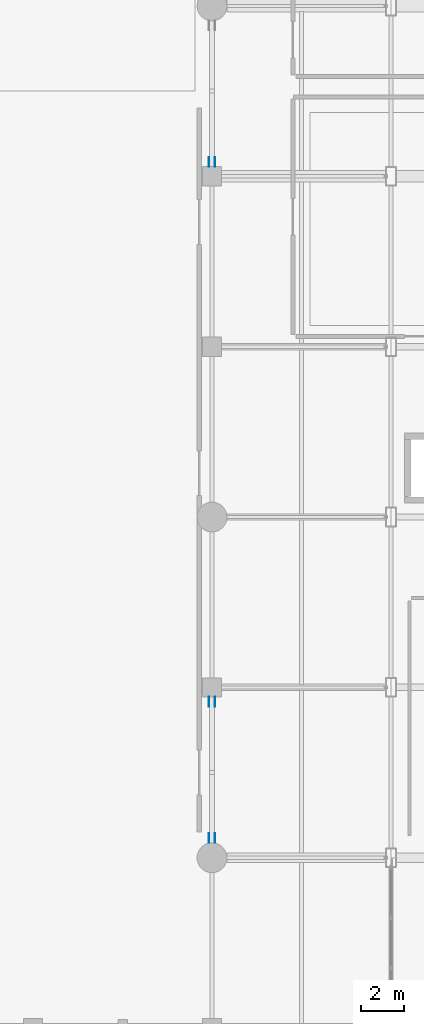
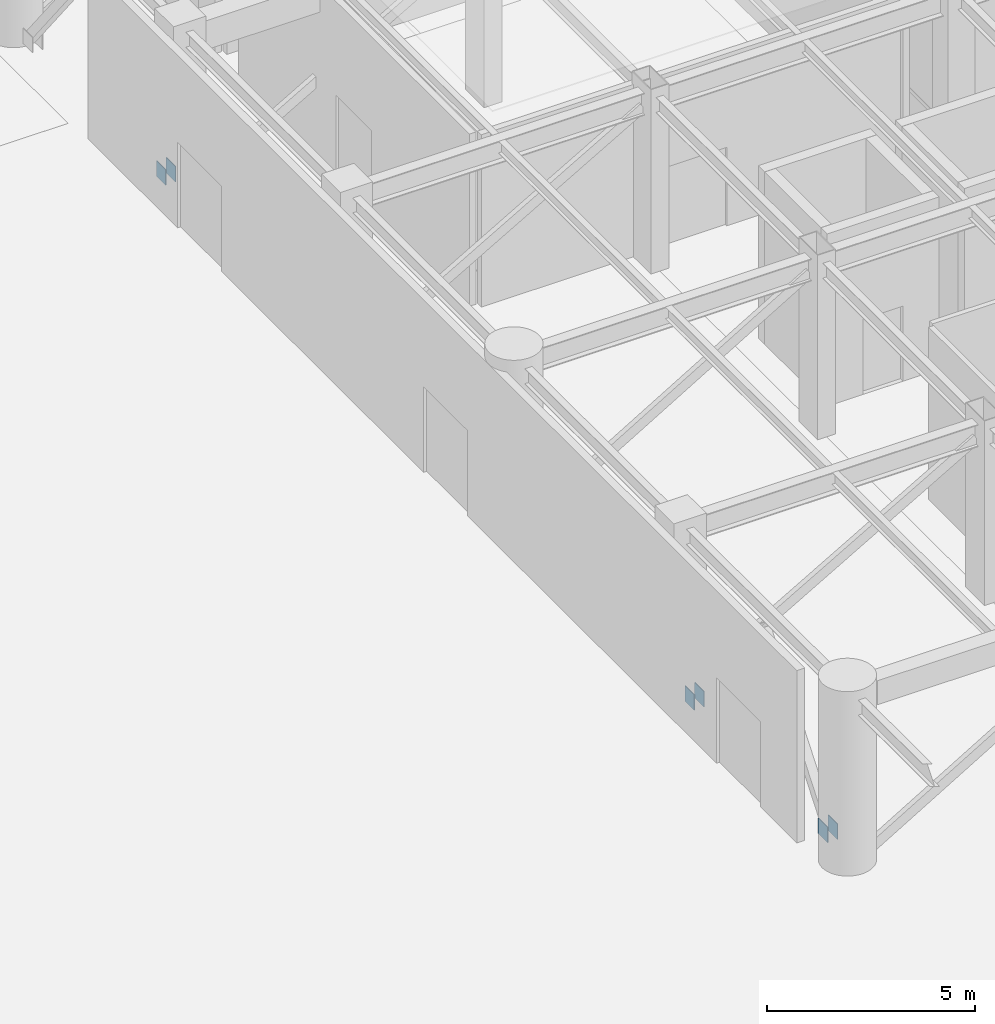
# One storey, part 66 of 79: 6 discrete accessories.
"""IFC4 building model written with IfcOpenShell, lengths in metres."""

from ifc_helpers import new_model, si_unit, direction, frame, origin, origin_2d, place, context, subcontext, project, spatial, rectangle, extrude, material, layer, layer_set, type_object, element, save


model = new_model("IFC4")

# Units and contexts
model_context = context("Model", 3, precision=1e-05, world=origin(), true_north=direction((0.0, 1.0)))
body_context = subcontext(model_context, "Body", "Model", "MODEL_VIEW")
ifc_project = project(units=[si_unit("LENGTHUNIT", "METRE"), si_unit("AREAUNIT", "SQUARE_METRE"), si_unit("VOLUMEUNIT", "CUBIC_METRE"), si_unit("PLANEANGLEUNIT", "RADIAN"), si_unit("MASSUNIT", "GRAM", prefix="KILO")], contexts=[model_context])

# Site, building, storey
site_placement = place(None, origin())
site = spatial("IfcSite", under=ifc_project, at=site_placement, CompositionType="ELEMENT")
building_placement = place(site_placement, origin())
building = spatial("IfcBuilding", under=site, at=building_placement, Name="Naruveol Harbour Congress Hotel", CompositionType="ELEMENT")
storey_placement = place(building_placement, frame((0.0, 0.0, 6.0)))
storey = spatial("IfcBuildingStorey", under=building, at=storey_placement, Name="L01", CompositionType="ELEMENT", Elevation=6.0)

# Discrete accessories
ifc_material = material(Name="Steel SN490", Category="steel")
ifc_layer = layer(ifc_material, 0.02001953125)
ifc_layer_set = layer_set([ifc_layer], Name="Steel SN490")
discrete_accessory_type = type_object("IfcDiscreteAccessoryType", Name="STEEL BRACE GUSSET PLATE 20", PredefinedType="USERDEFINED", material=ifc_layer_set)
for number, where, z_axis, x_axis, name in (
    (1, (50.264892578125, 8.925048828125, 0.10986328125), (0.0, 0.0, 1.0), (0.0, 1.0, 0.0), "Brace gusset plate Lateral chevron brace L01 #11A (A)"),
    (2, (50.534912109375, 8.925048828125, 0.10986328125), (0.0, 0.0, 1.0), (0.0, 1.0, 0.0), "Brace gusset plate Lateral chevron brace L01 #11A (B)"),
    (3, (50.534912109375, 15.324951171875, 0.10986328125), (0.0, 0.0, 1.0), (0.0, -1.0, 0.0), "Brace gusset plate Lateral chevron brace L01 #11B (A)"),
    (4, (50.264892578125, 15.324951171875, 0.10986328125), (0.0, 0.0, 1.0), (0.0, -1.0, 0.0), "Brace gusset plate Lateral chevron brace L01 #11B (B)"),
    (5, (50.264892578125, 40.675048828125, 0.10986328125), (0.0, 0.0, 1.0), (0.0, 1.0, 0.0), "Brace gusset plate Lateral chevron brace L01 #12A (A)"),
    (6, (50.534912109375, 40.675048828125, 0.10986328125), (0.0, 0.0, 1.0), (0.0, 1.0, 0.0), "Brace gusset plate Lateral chevron brace L01 #12A (B)"),
):
    element("IfcDiscreteAccessory", number, at=place(storey_placement, frame(where, z_axis=z_axis, x_axis=x_axis)), inside=storey, type_object=discrete_accessory_type, Name=name, ObjectType="BRACE GUSSET PLATE", PredefinedType="USERDEFINED", context=body_context, shape_type="SweptSolid", body=[
        extrude(rectangle(XDim=0.449951171875, YDim=0.02001953125, at=origin_2d()), origin(), (0.0, 0.0, 1.0), 0.449951171875),
    ])

save(model, "model.ifc")
